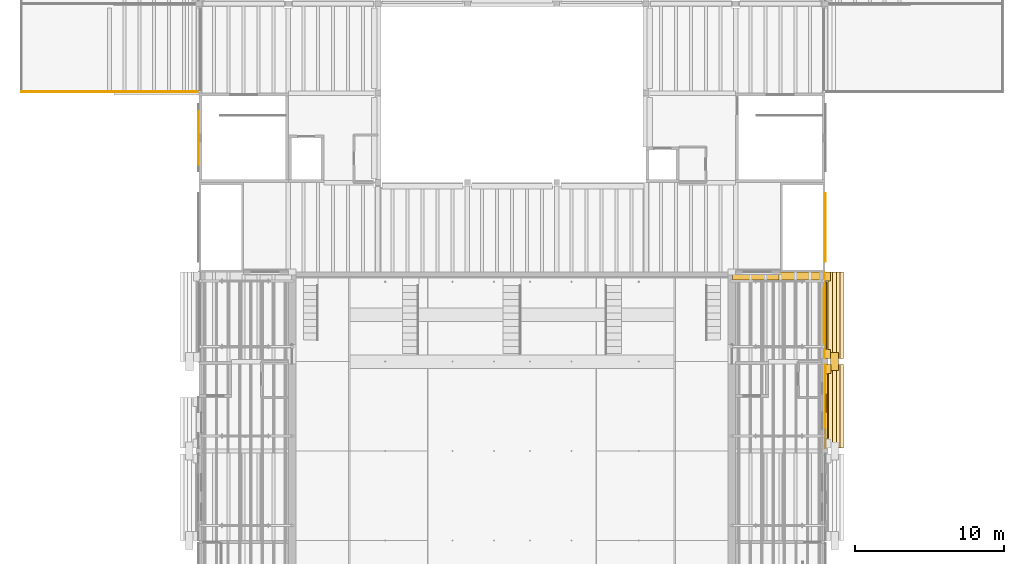
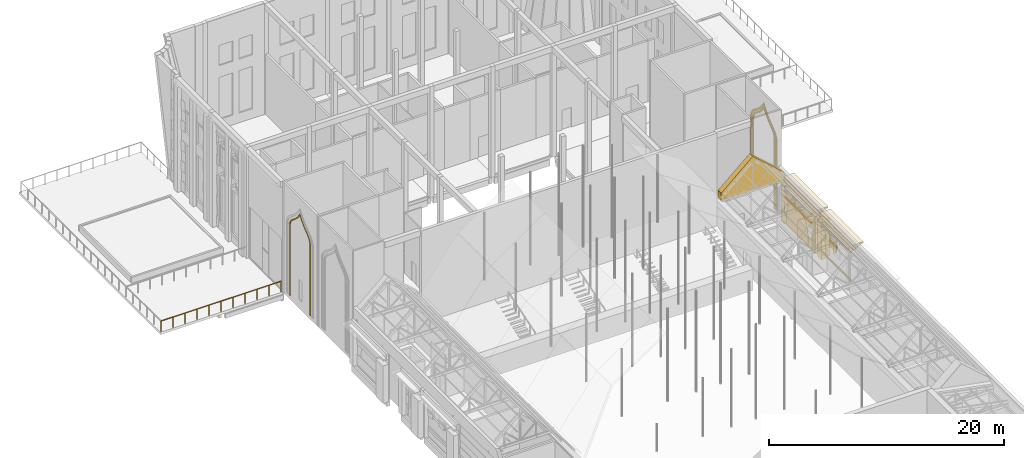
# One storey, part 112 of 118: 32 coverings, 1 railing.
"""IFC4 building model written with IfcOpenShell, lengths in metres."""

from ifc_helpers import new_model, si_unit, direction, frame, origin, origin_2d, place, context, subcontext, project, spatial, polyline, rectangle, circle, outline, extrude, material, layer, layer_set, type_object, element, save


model = new_model("IFC4")

# Units and contexts
model_context = context("Model", 3, precision=1e-05, world=origin(), true_north=direction((0.0, 1.0)))
body_context = subcontext(model_context, "Body", "Model", "MODEL_VIEW")
ifc_project = project(units=[si_unit("LENGTHUNIT", "METRE"), si_unit("AREAUNIT", "SQUARE_METRE"), si_unit("VOLUMEUNIT", "CUBIC_METRE"), si_unit("PLANEANGLEUNIT", "RADIAN"), si_unit("MASSUNIT", "GRAM", prefix="KILO")], contexts=[model_context])

# Site, building, storey
site_placement = place(None, origin())
site = spatial("IfcSite", under=ifc_project, at=site_placement, CompositionType="ELEMENT")
building_placement = place(site_placement, origin())
building = spatial("IfcBuilding", under=site, at=building_placement, Name="Saffron Lane Theatres", CompositionType="ELEMENT")
storey_placement = place(building_placement, frame((0.0, 0.0, 16.5)))
storey = spatial("IfcBuildingStorey", under=building, at=storey_placement, Name="L03", CompositionType="ELEMENT", Elevation=16.5)

# Coverings
ifc_material_1 = material(Name="Masonry sandstone", Category="masonry")
ifc_layer_1 = layer(ifc_material_1, 0.050048828125)
ifc_layer_set_1 = layer_set([ifc_layer_1], Name="Masonry sandstone")
covering_type_1 = type_object("IfcCoveringType", Name="EX-ARCH FRAME RING SANDSTONE 50", PredefinedType="CLADDING", material=ifc_layer_set_1)
covering_1_placement = place(storey_placement, frame((12.0, 97.220947265625, 7.81103515625), z_axis=(1.0, 0.0, 0.0), x_axis=(0.0, -0.060212267817, -0.99818559537)))
element("IfcCovering", 1, at=covering_1_placement, inside=storey, type_object=covering_type_1, Name="Arch recess ring L03", PredefinedType="CLADDING", context=body_context, shape_type="SweptSolid", body=[
    extrude(outline(polyline([(0.0, 0.0), (0.18245996245064686, -1.734723475976807e-18), (7.398347530543385, 0.4352747192549238), (7.391115002280182, 0.55517396557379), (0.17912659666935885, 0.12013445049002722), (0.008910318017484561, 0.11989467290442692), (-0.13960380243034332, 0.14101992754420883), (-0.27042632246488074, 0.1810670310814375), (-0.3880257946657277, 0.2370760043565431), (-0.4986122624964559, 0.31062892209304366), (-0.603885402766164, 0.39746532206832463), (-0.708349375352586, 0.499270180830787), (-0.8142206528964551, 0.6122410309466604), (-0.9258563926685295, 0.7356258724131494), (-1.0450444730420934, 0.8666264289383572), (-1.1755664544134807, 1.003057915110166), (-1.3213214992646054, 1.144685126757414), (-1.4861878630399454, 1.2868716016560897), (-1.6721445275018532, 1.4299871330308516), (-1.882826050439687, 1.5694099589183848), (-2.040617995422439, 1.659192944482378), (-1.8947626621261104, 1.767292454875538), (-1.7023682634960484, 1.931029511956845), (-1.5349633280344688, 2.0954604213430774), (-1.3883840885669005, 2.256433829413242), (-1.2607103643737818, 2.4145547335631594), (-1.1475346906255224, 2.5656864804325337), (-1.0449579048402078, 2.7100642741925265), (-0.9489632424503434, 2.8459737377733414), (-0.8574394193472985, 2.9708517990542433), (-0.7659704772175246, 3.0844756674175486), (-0.6718989355993618, 3.1833368806434383), (-0.5709558387862367, 3.2696496246654263), (-0.4609417011053337, 3.339388641432058), (-0.3358816832642421, 3.394871018701731), (-0.19092502590522514, 3.4327205966009036), (-0.02197296967334153, 3.4539183725267932), (7.1900154359374815, 3.888957887610556), (7.182782907674279, 4.008857133929422), (-0.03310466041845825, 3.5735824146744983), (-0.2142415994063242, 3.5516496257137304), (-0.3749882967892865, 3.5079558775061255), (-0.5175148377187658, 3.446039032792898), (-0.6428401135973336, 3.366571383496617), (-0.754264496287823, 3.2715551051242904), (-0.8570526391547226, 3.163118468752466), (-0.9530868289122405, 3.044082944417697), (-1.0463985303885692, 2.9164066068448986), (-1.1423196914749458, 2.7792786549884854), (-1.2440392887253622, 2.63690924351224), (-1.3551392856631255, 2.487859380230101), (-1.480212043730155, 2.335276227621187), (-1.6211630433853152, 2.1783110906345584), (-1.7837590335640314, 2.0193065374804875), (-1.9696239030646943, 1.860855040801105), (-2.26018958268524, 1.6459480095938712), (-1.9458976822988232, 1.4675270254379955), (-1.742333698918291, 1.332566545353323), (-1.5618033906885445, 1.1942599592614251), (-1.4030062745465393, 1.0553761429328026), (-1.2604990072921967, 0.9189338765698157), (-1.132287906902467, 0.7843196692926863), (-1.0141922192349622, 0.6552098929656452), (-0.9024829781593999, 0.530606563223558), (-0.7945004165069005, 0.415072640986949), (-0.6848537853434367, 0.30844413668092546), (-0.569776224533372, 0.21314953337272505), (-0.44773825361924, 0.13221610474866663), (-0.31376922445050365, 0.06838953283459553), (-0.16477456881409536, 0.023079409295178335), (0.0, 0.0)])), origin(), (0.0, 0.0, -1.0), 0.050048828125),
])
covering_2_placement = place(storey_placement, frame((54.0, 91.159912109375, 7.56396484375), z_axis=(-1.0, 0.0, 0.0), x_axis=(0.0, 0.065135536954, 0.99787642613)))
element("IfcCovering", 2, at=covering_2_placement, inside=storey, type_object=covering_type_1, Name="Arch recess ring L03", PredefinedType="CLADDING", context=body_context, shape_type="SweptSolid", body=[
    extrude(outline(polyline([(0.0, 0.0), (0.18740969708573668, 0.0), (0.3572321631047603, 0.02292274751170524), (0.5106378022367067, 0.0679578648585635), (0.6479866409846596, 0.1331245701843867), (0.7746911625902068, 0.21513364609086122), (0.8923772111202771, 0.31265566609133544), (1.0056627943706078, 0.421474630782208), (1.1186258803823106, 0.5403457135441597), (1.2340627174019505, 0.6671291102139867), (1.3560512734706387, 0.8005799941723697), (1.4882668721481234, 0.9370332192872097), (1.6356932725362778, 1.0778760961649128), (1.8002845407437116, 1.219311172113942), (1.9859068270985913, 1.3605967670943766), (2.197289455011565, 1.499222236923052), (2.5188026636036778, 1.6795910623433596), (2.223464526746356, 1.9002243359000532), (2.031896078287544, 2.0651520953091325), (1.8662151892324383, 2.2293687069612367), (1.721406296017763, 2.390999615901266), (1.593539639392545, 2.549812013471747), (1.4801840863271272, 2.702294687133774), (1.3765785089494589, 2.850471036721815), (1.2786023212401476, 2.991184787486221), (1.1820503373124693, 3.1237317886515266), (1.0838718732286343, 3.2463538895913655), (0.9798617431019176, 3.3583469395302727), (0.8648930677541324, 3.4561310282927087), (0.7371809808113334, 3.538599360621845), (0.5909313454950954, 3.603194221731639), (0.4255296996111094, 3.6479984386887105), (0.23971022559553018, 3.6723606561235225), (-6.909138858475628, 4.138995713830517), (-6.916962755980802, 4.019133604051243), (0.22798837330078578, 3.5527529820354737), (0.4019498719268152, 3.5303880847767797), (0.5504887923748518, 3.4896204900609957), (0.6791556492489732, 3.433023814904865), (0.7935060458670814, 3.359501441479207), (0.8961511285103747, 3.2715741913948344), (0.9936209891941478, 3.168081837899761), (1.087001432230704, 3.0506661272916173), (1.1809002879881316, 2.922451529858649), (1.2779019870000503, 2.781801388017049), (1.3833929328496974, 2.6325233318860035), (1.4984271253879733, 2.4757718634144457), (1.6301809232858842, 2.3127911731324673), (1.7795919220655951, 2.146700642614489), (1.9510453208653722, 1.977214031707883), (2.148386279068856, 1.807016273044302), (2.299299084516024, 1.693918972205478), (2.1349647963567273, 1.601399157894491), (1.917173569471019, 1.4582988003463928), (1.725142684143405, 1.312538317646535), (1.555408634527082, 1.1672797093476193), (1.4035862214837844, 1.0228092156022732), (1.269151307489588, 0.8823416313691277), (1.1451501651033085, 0.7480434765589647), (1.0306878167810614, 0.6211964709663315), (0.9209185347834625, 0.506276138399879), (0.8130670618084738, 0.4019956703512356), (0.7029708299476508, 0.31205201741390365), (0.5897666661185121, 0.2382141437311261), (0.46682906492155385, 0.18018054300880101), (0.3318967291510122, 0.14079008147177352), (0.17931864210477572, 0.11967764390313552), (0.00392594271560465, 0.12011654547049896), (-7.141025186565984, 0.5864971674862685), (-7.148849084071158, 0.4666350577069947), (0.0, 0.0)])), origin(), (0.0, 0.0, -1.0), 0.050048828125),
])
covering_3_placement = place(storey_placement, frame((54.0, 90.89990234375, 7.56494140625), z_axis=(-1.0, 0.0, 0.0), x_axis=(0.0, 0.062958960636, 0.998016116741)))
element("IfcCovering", 3, at=covering_3_placement, inside=storey, type_object=covering_type_1, Name="Arch recess ring L03", PredefinedType="CLADDING", context=body_context, shape_type="SweptSolid", body=[
    extrude(outline(polyline([(0.0, 0.0), (0.2093997997570811, -1.734723475976807e-18), (0.40049520623693485, 0.02781894323655621), (0.5733915381580723, 0.08124855236315773), (0.7293201705915178, 0.1565417581622911), (0.8716461789162931, 0.2527524000384675), (1.0029091674744415, 0.3636046209491667), (1.1279361493159927, 0.48806003525890634), (1.252618710483494, 0.6225668403471962), (1.379072903283463, 0.7657684172615393), (1.512795226241438, 0.9156056427324515), (1.65780486937195, 1.0698679622519405), (1.8169488538170204, 1.2271526443475127), (1.9962571031791871, 1.3861007929051896), (2.1975097884464723, 1.5439092221414654), (2.4267060915414165, 1.6987317233853592), (2.8199923738188595, 1.9263755716404125), (2.4584315052991785, 2.2016382822121074), (2.2505084447627337, 2.3840360704140555), (2.070682710453937, 2.565884493408636), (1.9127706703702612, 2.746105884524812), (1.7746539950437077, 2.9221429914190615), (1.650179794151747, 3.0934054599773515), (1.5363473381523691, 3.2588594588871618), (1.42889150359106, 3.416817042200464), (1.3221006001822966, 3.5659261452877242), (1.2137048672195723, 3.705106824316425), (1.0974130768203678, 3.831575818666023), (0.9683059908946601, 3.9449095763009914), (0.82307546310046, 4.039201140338784), (0.6582641930187523, 4.113934733703883), (0.472179680378545, 4.165547737258761), (0.2644399313413468, 4.1918626153369045), (-6.886384530115727, 4.642966027625085), (-6.898988618914838, 4.443167879253993), (0.24598809185820394, 3.9924333671257872), (0.4328502551442822, 3.968658662680057), (0.5903700541628006, 3.925697164883087), (0.7268932857428001, 3.8640008902889207), (0.8471723858957974, 3.7852270431655883), (0.9573141324243244, 3.6892350087916186), (1.0611862841044049, 3.5752915411700266), (1.1623691080750453, 3.4458616676043414), (1.2643506464352592, 3.3019484777270853), (1.3719294477165596, 3.145940144641794), (1.4866135621099514, 2.978475412143977), (1.6146173632979592, 2.8011192594616725), (1.7594157997010786, 2.6185449912449217), (1.923886634141329, 2.4298371885782326), (2.1141235507427245, 2.238525451757653), (2.33152928097776, 2.047456801925205), (2.460599363029396, 1.9490475606388131), (2.32018560105856, 1.8676384683912226), (2.080492152825097, 1.7054055143967404), (1.8677215847852908, 1.5395171469343678), (1.680901548986617, 1.3739487206601206), (1.5142457781050391, 1.2100437608479786), (1.364968734358532, 1.0501796240844403), (1.2301488195665604, 0.8984546317455133), (1.1038175934865828, 0.7572023050591807), (0.9845592309675877, 0.6272458379009401), (0.8679133419580379, 0.5115574952942858), (0.7506070761189052, 0.4125453755057145), (0.6292138747111717, 0.3301810140167095), (0.4999889456788056, 0.26714690705226696), (0.3567947695392767, 0.22309635677685571), (0.195124843721051, 0.2002706593784658), (0.006756338115078975, 0.2001670485310657), (-7.138220372657963, 0.6509015606592716), (-7.1508244614570735, 0.4511034122881799), (0.0, 0.0)])), origin(), (0.0, 0.0, -1.0), 0.050048828125),
])
covering_4_placement = place(storey_placement, frame((54.0, 90.699951171875, 7.56396484375), z_axis=(-1.0, 0.0, 0.0), x_axis=(0.0, 0.06709359494, 0.997746686047)))
element("IfcCovering", 4, at=covering_4_placement, inside=storey, type_object=covering_type_1, Name="Arch recess ring L03", PredefinedType="CLADDING", context=body_context, shape_type="SweptSolid", body=[
    extrude(outline(polyline([(0.0, 0.0), (0.22560601743694642, 0.0), (0.4279240433652444, 0.02848212298438211), (0.6110951162767889, 0.08516790432570873), (0.7768877771735412, 0.16724680635160669), (0.9281902379218655, 0.27036484703155256), (1.0697432663346085, 0.3922456969253163), (1.2061402077747974, 0.5284207120969588), (1.3404822176474245, 0.6777025870097586), (1.479393266672714, 0.8367095880477752), (1.627126941664466, 1.0031981463151827), (1.7870116082549947, 1.175720985503534), (1.963073643030779, 1.3522945074887294), (2.161449835712996, 1.5295697391992324), (2.3850305117515207, 1.7068629363695702), (2.63819818655426, 1.8802090163350522), (3.015776142316312, 2.102447038448873), (2.671351857491538, 2.3732361873700505), (2.4436718862354403, 2.5789169246626997), (2.2458409980987932, 2.7845479927428642), (2.072985269507623, 2.9867867592895387), (1.9221488539232454, 3.1853426065701025), (1.7868018350916308, 3.3777183356675358), (1.6626885126154687, 3.5624872777126115), (1.5463167181404232, 3.7386608040185467), (1.4331707804974587, 3.904585035488794), (1.316233602433498, 4.057795533750737), (1.192272986365931, 4.197530880344912), (1.056138657676855, 4.319977642223469), (0.9028277641981886, 4.423514700834265), (0.7288951648086918, 4.504213961224035), (0.5322119525179547, 4.55952697007564), (0.30863708883408264, 4.58973219201652), (-6.839282529175298, 5.070394899518235), (-6.848684805419367, 4.930573952791907), (0.2953373645976413, 4.450173329645426), (0.5029826777628007, 4.423241520165602), (0.6798880323590603, 4.372194779628856), (0.8334123977722331, 4.300942709132744), (0.969678297034804, 4.209562982871254), (1.0923559679118238, 4.098053487260878), (1.2079753266573225, 3.9689114212186363), (1.319475839537781, 3.822183811977627), (1.4309351375397954, 3.6602880706773684), (1.5463980911055568, 3.4851544274583355), (1.6711111429026708, 3.298387620600467), (1.8091683041899354, 3.1026486517428054), (1.9640617433216867, 2.8989261495721372), (2.141396155370469, 2.690513605592861), (2.345703591777519, 2.479308489401047), (2.5809470216240187, 2.2660230786395514), (2.768531785300243, 2.119073014734118), (2.5629614827459894, 1.9985607101630554), (2.3012802935651195, 1.8186910546940729), (2.0705350978236985, 1.6367411046554097), (1.8668939686181638, 1.4539473064003936), (1.6861196994069172, 1.2727968193243737), (1.5230990032834812, 1.0973038669086468), (1.3745035146155418, 0.9289157254616602), (1.236632348677154, 0.7708175653329278), (1.1045011471559478, 0.6253020962348819), (0.9743598845093718, 0.4948237170184666), (0.8424912957392786, 0.38232400753367307), (0.7059886751235918, 0.288243121546451), (0.5587152329411341, 0.2159300321283364), (0.39703349197125964, 0.16587403386188582), (0.21488645027029224, 0.13897181455120095), (0.005504828251698287, 0.14008303108156392), (-7.1385173417653105, 0.6204836542280439), (-7.1479196180093805, 0.48066270750171536), (0.0, 0.0)])), origin(), (0.0, 0.0, -1.0), 0.050048828125),
])
ifc_material_2 = material(Name="Masonry pale clay brick", Category="masonry")
ifc_layer_2 = layer(ifc_material_2, 0.050048828125)
ifc_layer_set_2 = layer_set([ifc_layer_2], Name="Masonry pale clay brick")
covering_type_2 = type_object("IfcCoveringType", Name="EX-ARCH PANEL BRICK 50", PredefinedType="CLADDING", material=ifc_layer_set_2)
covering_5_placement = place(storey_placement, frame((53.89990234375, 88.89990234375, 1.199951171875), z_axis=(-1.0, 0.0, 0.0), x_axis=(0.0, 0.0, -1.0)))
element("IfcCovering", 5, at=covering_5_placement, inside=storey, type_object=covering_type_2, Name="Blind arch panel 19", PredefinedType="CLADDING", context=body_context, shape_type="SweptSolid", body=[
    extrude(outline(polyline([(0.0, 0.0), (0.89990234375, 0.0), (0.89990234375, 3.599853515625), (0.0, 3.599853515625), (-0.30712890625, 3.578857421875), (-0.608154296875, 3.515869140625), (-0.89794921875, 3.412841796875), (-1.170166015625, 3.27099609375), (-1.421142578125, 3.093017578125), (-1.64501953125, 2.8818359375), (-1.839111328125, 2.642822265625), (-1.9970703125, 2.37890625), (-2.119140625, 2.096923828125), (-2.199951171875, 1.7998046875), (-2.119140625, 1.5029296875), (-1.9970703125, 1.220947265625), (-1.839111328125, 0.956787109375), (-1.64501953125, 0.718017578125), (-1.421142578125, 0.5068359375), (-1.170166015625, 0.328857421875), (-0.89794921875, 0.18701171875), (-0.608154296875, 0.083984375), (-0.30712890625, 0.02099609375), (0.0, 0.0)])), origin(), (0.0, 0.0, -1.0), 0.050048828125),
])
ifc_material_3 = material(Name="Masonry sandstone", Category="masonry")
ifc_layer_3 = layer(ifc_material_3, 0.179931640625)
ifc_layer_set_3 = layer_set([ifc_layer_3], Name="Masonry sandstone")
covering_type_3 = type_object("IfcCoveringType", Name="EX-EAVES CORNICE SANDSTONE 180", PredefinedType="CLADDING", material=ifc_layer_set_3)
covering_6_placement = place(storey_placement, frame((54.06005859375, 87.10009765625, 3.7099609375), z_axis=(0.0, 0.0, 1.0), x_axis=(0.0, -1.0, 0.0)))
element("IfcCovering", 6, at=covering_6_placement, inside=storey, type_object=covering_type_3, Name="Eaves cornice L03", PredefinedType="CLADDING", context=body_context, shape_type="SweptSolid", body=[
    extrude(rectangle(XDim=4.5, YDim=0.219970703125, at=origin_2d()), origin(), (0.0, 0.0, 1.0), 0.1298828125),
])
covering_7_placement = place(storey_placement, frame((54.02490234375, 87.10009765625, 3.580078125), z_axis=(0.0, 0.0, 1.0), x_axis=(0.0, -1.0, 0.0)))
element("IfcCovering", 7, at=covering_7_placement, inside=storey, type_object=covering_type_3, Name="Eaves cornice L03", PredefinedType="CLADDING", context=body_context, shape_type="SweptSolid", body=[
    extrude(rectangle(XDim=4.5, YDim=0.14990234375, at=origin_2d()), origin(), (0.0, 0.0, 1.0), 0.1298828125),
])
covering_8_placement = place(storey_placement, frame((53.989990234375, 87.10009765625, 3.449951171875), z_axis=(0.0, 0.0, 1.0), x_axis=(0.0, -1.0, 0.0)))
element("IfcCovering", 8, at=covering_8_placement, inside=storey, type_object=covering_type_3, Name="Eaves cornice L03", PredefinedType="CLADDING", context=body_context, shape_type="SweptSolid", body=[
    extrude(rectangle(XDim=4.5, YDim=0.080078125, at=origin_2d()), origin(), (0.0, 0.0, 1.0), 0.1298828125),
])
covering_9_placement = place(storey_placement, frame((54.110107421875, 81.0, 3.7099609375), z_axis=(0.0, 0.0, 1.0), x_axis=(0.0, -1.0, 0.0)))
element("IfcCovering", 9, at=covering_9_placement, inside=storey, type_object=covering_type_3, Name="Eaves cornice L03", PredefinedType="CLADDING", context=body_context, shape_type="SweptSolid", body=[
    extrude(rectangle(XDim=4.300048828125, YDim=0.219970703125, at=origin_2d()), origin(), (0.0, 0.0, 1.0), 0.1298828125),
])
covering_10_placement = place(storey_placement, frame((54.074951171875, 81.0, 3.580078125), z_axis=(0.0, 0.0, 1.0), x_axis=(0.0, -1.0, 0.0)))
element("IfcCovering", 10, at=covering_10_placement, inside=storey, type_object=covering_type_3, Name="Eaves cornice L03", PredefinedType="CLADDING", context=body_context, shape_type="SweptSolid", body=[
    extrude(rectangle(XDim=4.300048828125, YDim=0.14990234375, at=origin_2d()), origin(), (0.0, 0.0, 1.0), 0.1298828125),
])
covering_11_placement = place(storey_placement, frame((54.0400390625, 81.199951171875, 3.449951171875), z_axis=(0.0, 0.0, 1.0), x_axis=(0.0, -1.0, 0.0)))
element("IfcCovering", 11, at=covering_11_placement, inside=storey, type_object=covering_type_3, Name="Eaves cornice L03", PredefinedType="CLADDING", context=body_context, shape_type="SweptSolid", body=[
    extrude(rectangle(XDim=1.199951171875, YDim=0.080078125, at=origin_2d()), origin(), (0.0, 0.0, 1.0), 0.1298828125),
])
ifc_material_4 = material(Name="Masonry sandstone", Category="masonry")
ifc_layer_4 = layer(ifc_material_4, 0.1201171875)
ifc_layer_set_4 = layer_set([ifc_layer_4], Name="Masonry sandstone")
covering_type_4 = type_object("IfcCoveringType", Name="EX-EAVES STRING COURSE SANDSTONE 120", PredefinedType="CLADDING", material=ifc_layer_set_4)
covering_12_placement = place(storey_placement, frame((54.010009765625, 87.10009765625, 2.75), z_axis=(0.0, 0.0, 1.0), x_axis=(0.0, -1.0, 0.0)))
element("IfcCovering", 12, at=covering_12_placement, inside=storey, type_object=covering_type_4, Name="Eaves string course L03", PredefinedType="CLADDING", context=body_context, shape_type="SweptSolid", body=[
    extrude(rectangle(XDim=4.5, YDim=0.1201171875, at=origin_2d()), origin(), (0.0, 0.0, 1.0), 0.199951171875),
])
covering_13_placement = place(storey_placement, frame((54.06005859375, 81.199951171875, 2.75), z_axis=(0.0, 0.0, 1.0), x_axis=(0.0, -1.0, 0.0)))
element("IfcCovering", 13, at=covering_13_placement, inside=storey, type_object=covering_type_4, Name="Eaves string course L03", PredefinedType="CLADDING", context=body_context, shape_type="SweptSolid", body=[
    extrude(rectangle(XDim=1.199951171875, YDim=0.1201171875, at=origin_2d()), origin(), (0.0, 0.0, 1.0), 0.199951171875),
])
ifc_material_5 = material(Name="Face brick cladding, pale buff", Category="masonry")
ifc_layer_5 = layer(ifc_material_5, 0.0400390625)
ifc_layer_set_5 = layer_set([ifc_layer_5], Name="Face brick cladding, pale buff")
covering_type_5 = type_object("IfcCoveringType", Name="EX-FACE BRICK CLADDING PALE BUFF 40", PredefinedType="CLADDING", material=ifc_layer_set_5)
for number, where, z_axis, x_axis, name in (
    (14, (53.969970703125, 87.10009765625, 0.14990234375), (0.0, 0.0, 1.0), (0.0, -1.0, 0.0), "Cladding course L03"),
    (15, (53.969970703125, 87.10009765625, 2.25), (0.0, 0.0, 1.0), (0.0, -1.0, 0.0), "Cladding course L03"),
):
    element("IfcCovering", number, at=place(storey_placement, frame(where, z_axis=z_axis, x_axis=x_axis)), inside=storey, type_object=covering_type_5, Name=name, PredefinedType="CLADDING", context=body_context, shape_type="SweptSolid", body=[
        extrude(rectangle(XDim=5.800048828125, YDim=0.0400390625, at=origin_2d()), origin(), (0.0, 0.0, 1.0), 1.050048828125),
    ])
covering_14_placement = place(storey_placement, frame((54.02001953125, 83.18505859375, 2.25), z_axis=(0.0, 0.0, 1.0), x_axis=(0.0, -1.0, 0.0)))
element("IfcCovering", 16, at=covering_14_placement, inside=storey, type_object=covering_type_5, Name="Cladding course L03", PredefinedType="CLADDING", context=body_context, shape_type="SweptSolid", body=[
    extrude(rectangle(XDim=1.22998046875, YDim=0.0400390625, at=origin_2d()), origin(), (0.0, 0.0, 1.0), 1.050048828125),
])
covering_15_placement = place(storey_placement, frame((54.02001953125, 81.199951171875, 2.25), z_axis=(0.0, 0.0, 1.0), x_axis=(0.0, -1.0, 0.0)))
element("IfcCovering", 17, at=covering_15_placement, inside=storey, type_object=covering_type_5, Name="Cladding course L03", PredefinedType="CLADDING", context=body_context, shape_type="SweptSolid", body=[
    extrude(rectangle(XDim=1.260009765625, YDim=0.0400390625, at=origin_2d()), origin(), (0.0, 0.0, 1.0), 1.050048828125),
])
ifc_material_6 = material(Name="Masonry sandstone", Category="masonry")
ifc_layer_6 = layer(ifc_material_6, 1.199951171875)
ifc_layer_set_6 = layer_set([ifc_layer_6], Name="Masonry sandstone")
covering_type_6 = type_object("IfcCoveringType", Name="EX-FLANK BUTTRESS PIER SANDSTONE 1200", PredefinedType="CLADDING", material=ifc_layer_set_6)
covering_16_placement = place(storey_placement, frame((54.625, 84.0, 0.0), z_axis=(0.0, 0.0, 1.0), x_axis=(0.0, 1.0, 0.0)))
element("IfcCovering", 18, at=covering_16_placement, inside=storey, type_object=covering_type_6, Name="Flank buttress east L03", PredefinedType="CLADDING", context=body_context, shape_type="SweptSolid", body=[
    extrude(rectangle(XDim=1.199951171875, YDim=0.550048828125, at=origin_2d()), origin(), (0.0, 0.0, 1.0), 3.89990234375),
])
ifc_material_7 = material(Name="Masonry sandstone", Category="masonry")
ifc_layer_7 = layer(ifc_material_7, 1.050048828125)
ifc_layer_set_7 = layer_set([ifc_layer_7], Name="Masonry sandstone")
covering_type_7 = type_object("IfcCoveringType", Name="EX-FLANK CORNICE COURSE SANDSTONE 400", PredefinedType="CLADDING", material=ifc_layer_set_7)
covering_17_placement = place(storey_placement, frame((54.35009765625, 81.0, 3.900146484375), z_axis=(0.0, 0.0, 1.0), x_axis=(0.0, 1.0, 0.0)))
element("IfcCovering", 19, at=covering_17_placement, inside=storey, type_object=covering_type_7, Name="Flank cornice course east 11", PredefinedType="CLADDING", context=body_context, shape_type="SweptSolid", body=[
    extrude(rectangle(XDim=5.60009765625, YDim=0.300048828125, at=origin_2d()), origin(), (0.0, 0.0, 1.0), 0.14990234375),
])
covering_18_placement = place(storey_placement, frame((54.47509765625, 81.0, 4.050048828125), z_axis=(0.0, 0.0, 1.0), x_axis=(0.0, 1.0, 0.0)))
element("IfcCovering", 20, at=covering_18_placement, inside=storey, type_object=covering_type_7, Name="Flank cornice course east 11", PredefinedType="CLADDING", context=body_context, shape_type="SweptSolid", body=[
    extrude(rectangle(XDim=5.60009765625, YDim=0.550048828125, at=origin_2d()), origin(), (0.0, 0.0, 1.0), 0.14990234375),
])
covering_19_placement = place(storey_placement, frame((54.60009765625, 81.0, 4.199951171875), z_axis=(0.0, 0.0, 1.0), x_axis=(0.0, 1.0, 0.0)))
element("IfcCovering", 21, at=covering_19_placement, inside=storey, type_object=covering_type_7, Name="Flank cornice course east 11", PredefinedType="CLADDING", context=body_context, shape_type="SweptSolid", body=[
    extrude(rectangle(XDim=5.60009765625, YDim=0.800048828125, at=origin_2d()), origin(), (0.0, 0.0, 1.0), 0.14990234375),
])
covering_20_placement = place(storey_placement, frame((54.72509765625, 81.0, 4.35009765625), z_axis=(0.0, 0.0, 1.0), x_axis=(0.0, 1.0, 0.0)))
element("IfcCovering", 22, at=covering_20_placement, inside=storey, type_object=covering_type_7, Name="Flank cornice course east 11", PredefinedType="CLADDING", context=body_context, shape_type="SweptSolid", body=[
    extrude(rectangle(XDim=5.60009765625, YDim=1.050048828125, at=origin_2d()), origin(), (0.0, 0.0, 1.0), 0.14990234375),
])
covering_21_placement = place(storey_placement, frame((54.35009765625, 87.10009765625, 3.900146484375), z_axis=(0.0, 0.0, 1.0), x_axis=(0.0, 1.0, 0.0)))
element("IfcCovering", 23, at=covering_21_placement, inside=storey, type_object=covering_type_7, Name="Flank cornice course east 12", PredefinedType="CLADDING", context=body_context, shape_type="SweptSolid", body=[
    extrude(rectangle(XDim=5.800048828125, YDim=0.300048828125, at=origin_2d()), origin(), (0.0, 0.0, 1.0), 0.14990234375),
])
covering_22_placement = place(storey_placement, frame((54.47509765625, 87.10009765625, 4.050048828125), z_axis=(0.0, 0.0, 1.0), x_axis=(0.0, 1.0, 0.0)))
element("IfcCovering", 24, at=covering_22_placement, inside=storey, type_object=covering_type_7, Name="Flank cornice course east 12", PredefinedType="CLADDING", context=body_context, shape_type="SweptSolid", body=[
    extrude(rectangle(XDim=5.800048828125, YDim=0.550048828125, at=origin_2d()), origin(), (0.0, 0.0, 1.0), 0.14990234375),
])
covering_23_placement = place(storey_placement, frame((54.60009765625, 87.10009765625, 4.199951171875), z_axis=(0.0, 0.0, 1.0), x_axis=(0.0, 1.0, 0.0)))
element("IfcCovering", 25, at=covering_23_placement, inside=storey, type_object=covering_type_7, Name="Flank cornice course east 12", PredefinedType="CLADDING", context=body_context, shape_type="SweptSolid", body=[
    extrude(rectangle(XDim=5.800048828125, YDim=0.800048828125, at=origin_2d()), origin(), (0.0, 0.0, 1.0), 0.14990234375),
])
covering_24_placement = place(storey_placement, frame((54.72509765625, 87.10009765625, 4.35009765625), z_axis=(0.0, 0.0, 1.0), x_axis=(0.0, 1.0, 0.0)))
element("IfcCovering", 26, at=covering_24_placement, inside=storey, type_object=covering_type_7, Name="Flank cornice course east 12", PredefinedType="CLADDING", context=body_context, shape_type="SweptSolid", body=[
    extrude(rectangle(XDim=5.800048828125, YDim=1.050048828125, at=origin_2d()), origin(), (0.0, 0.0, 1.0), 0.14990234375),
])
ifc_material_8 = material(Name="Masonry sandstone", Category="masonry")
ifc_layer_8 = layer(ifc_material_8, 0.0400390625)
ifc_layer_set_8 = layer_set([ifc_layer_8], Name="Masonry sandstone")
covering_type_8 = type_object("IfcCoveringType", Name="EX-HEAD COURSE SANDSTONE 150", PredefinedType="CLADDING", material=ifc_layer_set_8)
covering_25_placement = place(storey_placement, frame((54.02001953125, 81.0, 3.699951171875), z_axis=(0.0, 0.0, 1.0), x_axis=(0.0, -1.0, 0.0)))
element("IfcCovering", 27, at=covering_25_placement, inside=storey, type_object=covering_type_8, Name="Facade head course L03", PredefinedType="CLADDING", context=body_context, shape_type="SweptSolid", body=[
    extrude(rectangle(XDim=5.60009765625, YDim=0.0400390625, at=origin_2d()), origin(), (0.0, 0.0, 1.0), 0.14990234375),
])
ifc_material_9 = material(Name="Masonry sandstone", Category="masonry")
ifc_layer_9 = layer(ifc_material_9, 0.39990234375)
ifc_layer_set_9 = layer_set([ifc_layer_9], Name="Masonry sandstone")
covering_type_9 = type_object("IfcCoveringType", Name="EX-PILASTER PIER SANDSTONE 400", PredefinedType="CLADDING", material=ifc_layer_set_9)
for number, where, z_axis, x_axis, name in (
    (28, (54.14990234375, 89.699951171875, 0.0), (0.0, 0.0, 1.0), (0.0, -1.0, 0.0), "Pilaster pier L03"),
    (29, (54.14990234375, 84.5, 0.0), (0.0, 0.0, 1.0), (0.0, -1.0, 0.0), "Pilaster pier L03"),
    (30, (54.199951171875, 83.5, 0.0), (0.0, 0.0, 1.0), (0.0, -1.0, 0.0), "Pilaster pier L03"),
):
    element("IfcCovering", number, at=place(storey_placement, frame(where, z_axis=z_axis, x_axis=x_axis)), inside=storey, type_object=covering_type_9, Name=name, PredefinedType="CLADDING", context=body_context, shape_type="SweptSolid", body=[
        extrude(rectangle(XDim=0.60009765625, YDim=0.39990234375, at=origin_2d()), origin(), (0.0, 0.0, 1.0), 3.89990234375),
    ])
ifc_material_10 = material(Name="Masonry sandstone", Category="masonry")
ifc_layer_10 = layer(ifc_material_10, 0.0400390625)
ifc_layer_set_10 = layer_set([ifc_layer_10], Name="Masonry sandstone")
covering_type_10 = type_object("IfcCoveringType", Name="EX-SILL COURSE SANDSTONE 250", PredefinedType="CLADDING", material=ifc_layer_set_10)
covering_26_placement = place(storey_placement, frame((54.02001953125, 81.0, 0.75), z_axis=(0.0, 0.0, 1.0), x_axis=(0.0, -1.0, 0.0)))
element("IfcCovering", 31, at=covering_26_placement, inside=storey, type_object=covering_type_10, Name="Facade sill course L03", PredefinedType="CLADDING", context=body_context, shape_type="SweptSolid", body=[
    extrude(rectangle(XDim=5.60009765625, YDim=0.0400390625, at=origin_2d()), origin(), (0.0, 0.0, 1.0), 0.25),
])
ifc_material_11 = material(Name="Zinc standing seam roofing", Category="metal")
ifc_layer_11 = layer(ifc_material_11, 0.199951171875)
ifc_layer_set_11 = layer_set([ifc_layer_11], Name="Zinc standing seam roofing")
covering_type_11 = type_object("IfcCoveringType", Name="ST-GABLE END CLADDING", PredefinedType="CLADDING", material=ifc_layer_set_11)
covering_27_placement = place(storey_placement, frame((54.0, 90.0, 4.5), z_axis=(0.0, 1.0, 0.0), x_axis=(-1.0, 0.0, 0.0)))
element("IfcCovering", 32, at=covering_27_placement, inside=storey, type_object=covering_type_11, Name="SB2-G2", PredefinedType="CLADDING", context=body_context, shape_type="SweptSolid", body=[
    extrude(outline(polyline([(0.0, 0.0), (6.199951171875, 0.0), (6.199951171875, 0.791259765625), (3.10009765625, 3.53955078125), (0.0, 0.791259765625), (0.0, 0.0)])), origin(), (0.0, 0.0, -1.0), 0.52490234375),
])

# Railing
railing_placement = place(storey_placement, frame((0.10009765625, 102.10009765625, 0.0)))
element("IfcRailing", 33, at=railing_placement, inside=storey, Name="Roof garden guard W", PredefinedType="GUARDRAIL", context=body_context, shape_type="SweptSolid", body=[
    extrude(circle(Radius=0.02392578125, at=origin_2d()), frame((0.0, 0.0, 1.076171875), z_axis=(1.0, 0.0, 0.0), x_axis=(0.0, 1.0, 0.0)), (0.0, 0.0, 1.0), 11.7998046875),
    extrude(circle(Radius=0.02099609375, at=origin_2d()), origin(), (0.0, 0.0, 1.0), 1.052001953125),
    extrude(circle(Radius=0.02099609375, at=origin_2d()), frame((1.179931640625, 0.0, 0.0)), (0.0, 0.0, 1.0), 1.052001953125),
    extrude(circle(Radius=0.02099609375, at=origin_2d()), frame((2.35986328125, 0.0, 0.0)), (0.0, 0.0, 1.0), 1.052001953125),
    extrude(circle(Radius=0.02099609375, at=origin_2d()), frame((3.5400390625, 0.0, 0.0)), (0.0, 0.0, 1.0), 1.052001953125),
    extrude(circle(Radius=0.02099609375, at=origin_2d()), frame((4.719970703125, 0.0, 0.0)), (0.0, 0.0, 1.0), 1.052001953125),
    extrude(circle(Radius=0.02099609375, at=origin_2d()), frame((5.89990234375, 0.0, 0.0)), (0.0, 0.0, 1.0), 1.052001953125),
    extrude(circle(Radius=0.02099609375, at=origin_2d()), frame((7.079833984375, 0.0, 0.0)), (0.0, 0.0, 1.0), 1.052001953125),
    extrude(circle(Radius=0.02099609375, at=origin_2d()), frame((8.259765625, 0.0, 0.0)), (0.0, 0.0, 1.0), 1.052001953125),
    extrude(circle(Radius=0.02099609375, at=origin_2d()), frame((9.43994140625, 0.0, 0.0)), (0.0, 0.0, 1.0), 1.052001953125),
    extrude(circle(Radius=0.02099609375, at=origin_2d()), frame((10.619873046875, 0.0, 0.0)), (0.0, 0.0, 1.0), 1.052001953125),
    extrude(circle(Radius=0.02099609375, at=origin_2d()), frame((11.7998046875, 0.0, 0.0)), (0.0, 0.0, 1.0), 1.052001953125),
])

save(model, "model.ifc")
